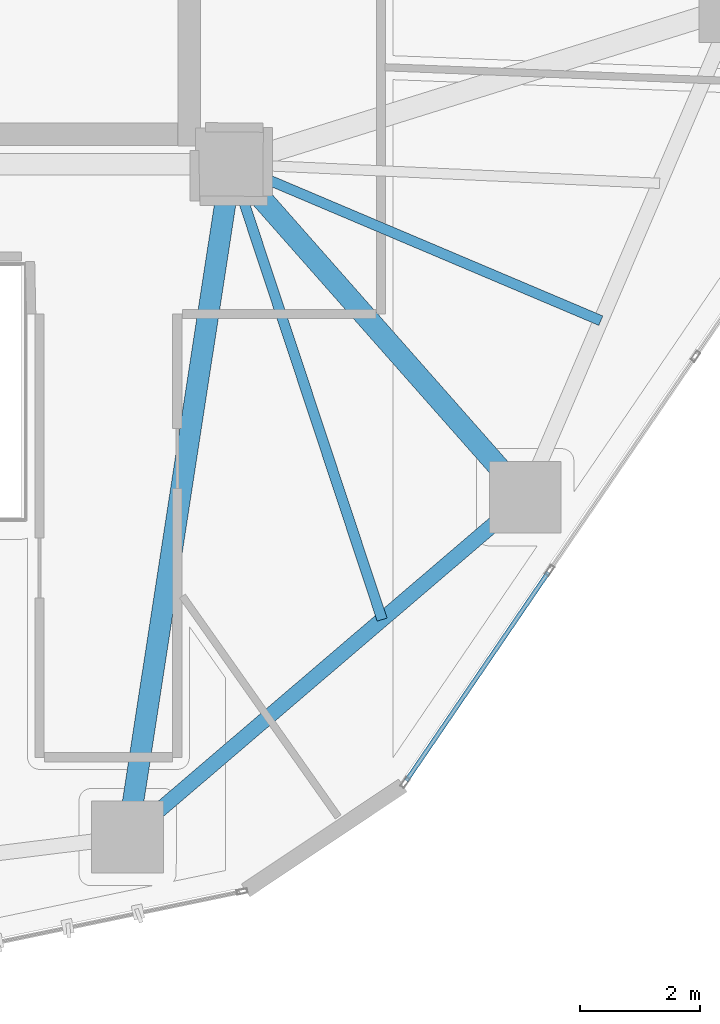
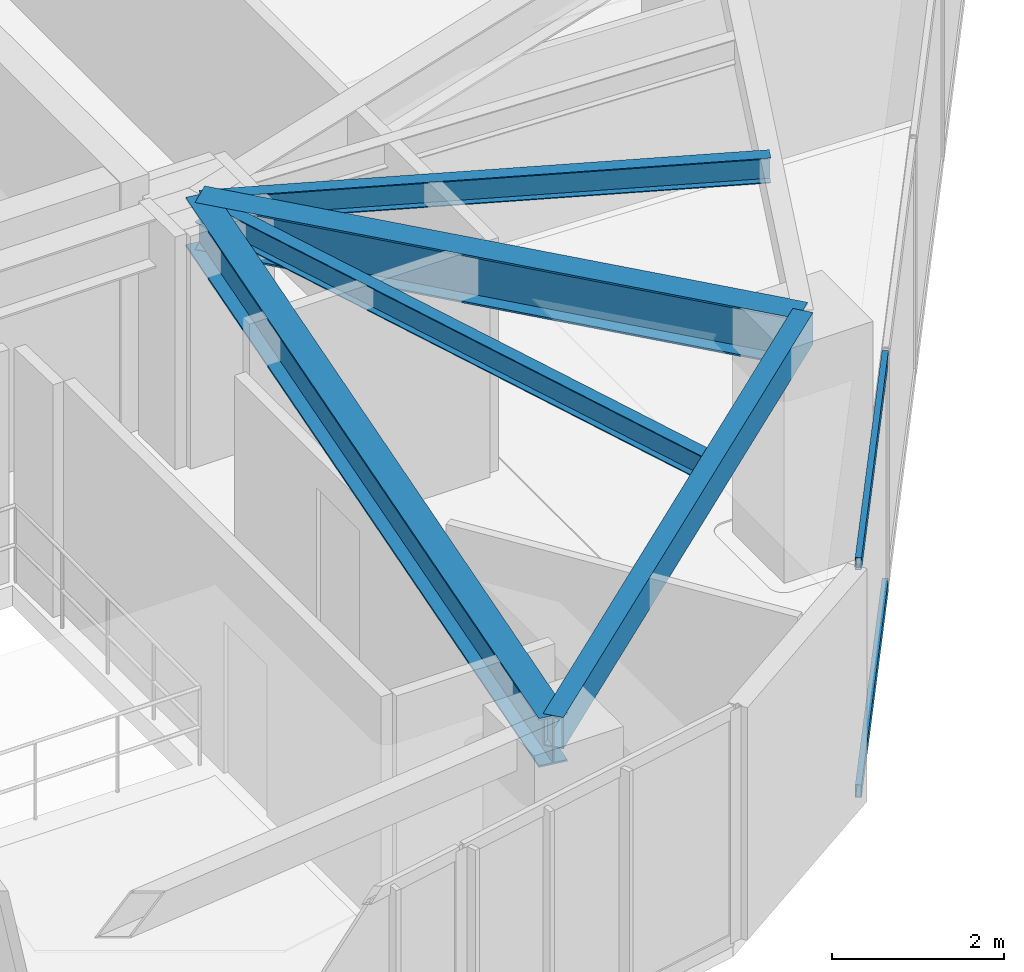
# One storey, part 7 of 22: 5 beams, 2 members, 1 element without a shape of its own.
"""IFC4 building model written with IfcOpenShell, lengths in metres."""

from ifc_helpers import new_model, si_unit, direction, frame, origin, origin_2d, place, context, subcontext, project, spatial, hollow_rectangle, i_section, extrude, source, transform, mapped, material, layer, layer_set, material_profile, profile_set, type_object, type_shapes, element, aggregate, save


model = new_model("IFC4")

# Units and contexts
model_context = context("Model", 3, precision=1e-05, world=origin(), true_north=direction((0.0, 1.0)))
body_context = subcontext(model_context, "Body", "Model", "MODEL_VIEW")
ifc_project = project(units=[si_unit("LENGTHUNIT", "METRE"), si_unit("AREAUNIT", "SQUARE_METRE"), si_unit("VOLUMEUNIT", "CUBIC_METRE"), si_unit("PLANEANGLEUNIT", "RADIAN"), si_unit("MASSUNIT", "GRAM", prefix="KILO")], contexts=[model_context])

# Site, building, storey
site_placement = place(None, origin())
site = spatial("IfcSite", under=ifc_project, at=site_placement, CompositionType="ELEMENT")
building_placement = place(site_placement, origin())
building = spatial("IfcBuilding", under=site, at=building_placement, Name="Talar Marvaseh", CompositionType="ELEMENT")
storey_placement = place(building_placement, frame((0.0, 0.0, 125.39990234375)))
storey = spatial("IfcBuildingStorey", under=building, at=storey_placement, Name="L32", CompositionType="ELEMENT", Elevation=125.39990234375)

# Beams
ifc_material_1 = material(Name="Steel S355", Category="steel")
ifc_material_profile_1 = material_profile(ifc_material_1, hollow_rectangle(XDim=0.25, YDim=0.449951171875, WallThickness=0.01611328125, at=origin_2d()), Name="RHS450x250x16")
ifc_profile_set_1 = profile_set([ifc_material_profile_1], Name="Steel S355")
beam_type_1 = type_object("IfcBeamType", Name="Zone 2 Perimeter Spandrel Beam RHS450x250x16", PredefinedType="SPANDREL", material=ifc_profile_set_1)
beam_1_placement = place(storey_placement, frame((38.2060546875, 19.94091796875, 3.085205078125), z_axis=(-0.76011265597, -0.649791312833, 0.0), x_axis=(0.649791312833, -0.76011265597, 0.0)))
element("IfcBeam", 1, at=beam_1_placement, inside=storey, type_object=beam_type_1, Name="L32 Zone 2 Perimeter Spandrel Beam RHS450x250x16", PredefinedType="SPANDREL", context=body_context, shape_type="SweptSolid", body=[
    extrude(hollow_rectangle(XDim=0.25, YDim=0.449951171875, WallThickness=0.01611328125, at=origin_2d()), origin(), (0.0, 0.0, 1.0), 8.730224609375),
])
ifc_material_profile_2 = material_profile(ifc_material_1, i_section(OverallWidth=0.35498046875, OverallDepth=0.695068359375, WebThickness=0.015380859375, FlangeThickness=0.02490234375, at=origin_2d()), Name="W690x217")
ifc_profile_set_2 = profile_set([ifc_material_profile_2], Name="Steel S355")
beam_type_2 = type_object("IfcBeamType", Name="Zone 2 Radial Floor Girder W690x217", PredefinedType="BEAM", material=ifc_profile_set_2)
beam_2_placement = place(storey_placement, frame((38.2060546875, 19.94091796875, 2.962646484375), z_axis=(-0.661692423388, 0.749775390921, 0.0), x_axis=(-0.749775390921, -0.661692423388, 0.0)))
element("IfcBeam", 2, at=beam_2_placement, inside=storey, type_object=beam_type_2, Name="L32 Zone 2 Radial Floor Girder W690x217", PredefinedType="BEAM", context=body_context, shape_type="SweptSolid", body=[
    extrude(i_section(OverallWidth=0.35498046875, OverallDepth=0.695068359375, WebThickness=0.015380859375, FlangeThickness=0.02490234375, at=origin_2d()), origin(), (0.0, 0.0, 1.0), 7.414306640625),
])
beam_3_placement = place(storey_placement, frame((31.570068359375, 14.26806640625, 2.962646484375), z_axis=(0.152228300633, 0.98834535689, 0.0), x_axis=(-0.98834535689, 0.152228300633, 0.0)))
element("IfcBeam", 3, at=beam_3_placement, inside=storey, type_object=beam_type_2, Name="L32 Zone 2 Radial Floor Girder W690x217", PredefinedType="BEAM", context=body_context, shape_type="SweptSolid", body=[
    extrude(i_section(OverallWidth=0.35498046875, OverallDepth=0.695068359375, WebThickness=0.015380859375, FlangeThickness=0.02490234375, at=origin_2d()), origin(), (0.0, 0.0, 1.0), 11.364501953125),
])
ifc_material_profile_3 = material_profile(ifc_material_1, i_section(OverallWidth=0.172119140625, OverallDepth=0.35791015625, WebThickness=0.0078125, FlangeThickness=0.01318359375, at=origin_2d()), Name="W360x57")
ifc_profile_set_3 = profile_set([ifc_material_profile_3], Name="Steel S355")
beam_type_3 = type_object("IfcBeamType", Name="Zone 2 Secondary Floor Joist W360x57", PredefinedType="JOIST", material=ifc_profile_set_3)
beam_4_placement = place(storey_placement, frame((39.467041015625, 22.88818359375, 3.131103515625), z_axis=(-0.920822287071, 0.389982455546, 0.0), x_axis=(-0.389982455546, -0.920822287071, 0.0)))
element("IfcBeam", 4, at=beam_4_placement, inside=storey, type_object=beam_type_3, Name="L32 Zone 2 Secondary Floor Joist W360x57", PredefinedType="JOIST", context=body_context, shape_type="SweptSolid", body=[
    extrude(i_section(OverallWidth=0.172119140625, OverallDepth=0.35791015625, WebThickness=0.0078125, FlangeThickness=0.01318359375, at=origin_2d()), origin(), (0.0, 0.0, 1.0), 6.697265625),
])
beam_5_placement = place(storey_placement, frame((35.81689453125, 17.898681640625, 3.131103515625), z_axis=(-0.314324535154, 0.949315588516, 0.0), x_axis=(-0.949315588516, -0.314324535154, 0.0)))
element("IfcBeam", 5, at=beam_5_placement, inside=storey, type_object=beam_type_3, Name="L32 Zone 2 Secondary Floor Joist W360x57", PredefinedType="JOIST", context=body_context, shape_type="SweptSolid", body=[
    extrude(i_section(OverallWidth=0.172119140625, OverallDepth=0.35791015625, WebThickness=0.0078125, FlangeThickness=0.01318359375, at=origin_2d()), origin(), (0.0, 0.0, 1.0), 8.007080078125),
])

# Curtain wall, members
ifc_material_2 = material(Name="Architectural Aluminium", Category="aluminium")
ifc_layer = layer(ifc_material_2, 0.199951171875)
ifc_layer_set = layer_set([ifc_layer], Name="Architectural Aluminium")
curtain_wall_type = type_object("IfcCurtainWallType", Name="Unitised Acoustic Library Curtain Wall Z2", PredefinedType="NOTDEFINED", material=ifc_layer_set)
curtain_wall_placement = place(storey_placement, origin())
curtain_wall = element("IfcCurtainWall", 6, at=curtain_wall_placement, inside=storey, type_object=curtain_wall_type, Name="L32 Unitised Acoustic Library Curtain Wall Z2", PredefinedType="NOTDEFINED")
ifc_material_profile_4 = material_profile(ifc_material_2, hollow_rectangle(XDim=0.074951171875, YDim=0.179931640625, WallThickness=0.0048828125, at=origin_2d()), Name="RHS180x75x5")
ifc_profile_set_4 = profile_set([ifc_material_profile_4], Name="Architectural Aluminium")
member_type = type_object("IfcMemberType", Name="Unitised Curtain Wall Transom RHS180x75x5", PredefinedType="USERDEFINED", material=ifc_profile_set_4)
shared_shape = source(origin(), body_context, "Body", "SweptSolid", [
    extrude(hollow_rectangle(XDim=0.074951171875, YDim=0.179931640625, WallThickness=0.0048828125, at=origin_2d()), origin(), (0.0, 0.0, 1.0), 4.211181640625),
])
type_shapes(member_type, [shared_shape])
member_1_placement = place(storey_placement, frame((38.59130859375, 18.689208984375, 0.03759765625), z_axis=(-0.562940990106, -0.826497091138, 0.0), x_axis=(0.826497091138, -0.562940990106, 0.0)))
member_1 = element("IfcMember", 7, at=member_1_placement, type_object=member_type, Name="CW-Z2 transom 5.1", ObjectType="TRANSOM", PredefinedType="USERDEFINED", context=body_context, shape_type="MappedRepresentation", body=[
    mapped(shared_shape, transform((0.0, 0.0, 0.0), x_axis=(1.0, 0.0, 0.0), y_axis=(0.0, 1.0, 0.0), z_axis=(0.0, 0.0, 1.0), scale=1.0)),
])
member_2_placement = place(storey_placement, frame((38.59130859375, 18.689208984375, 3.272705078125), z_axis=(-0.562940990106, -0.826497091138, 0.0), x_axis=(0.826497091138, -0.562940990106, 0.0)))
member_2 = element("IfcMember", 8, at=member_2_placement, type_object=member_type, Name="CW-Z2 transom 5.2", ObjectType="TRANSOM", PredefinedType="USERDEFINED", context=body_context, shape_type="MappedRepresentation", body=[
    mapped(shared_shape, transform((0.0, 0.0, 0.0), x_axis=(1.0, 0.0, 0.0), y_axis=(0.0, 1.0, 0.0), z_axis=(0.0, 0.0, 1.0), scale=1.0)),
])
aggregate(curtain_wall, [member_1, member_2])

save(model, "model.ifc")
